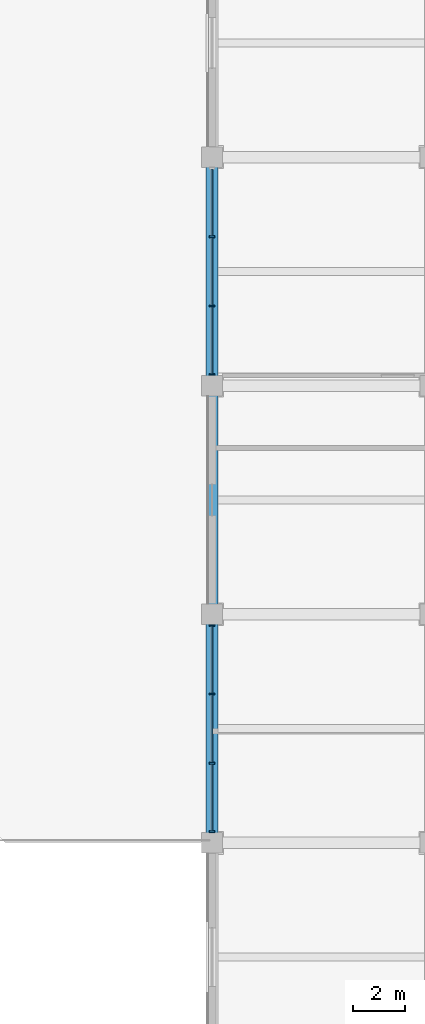
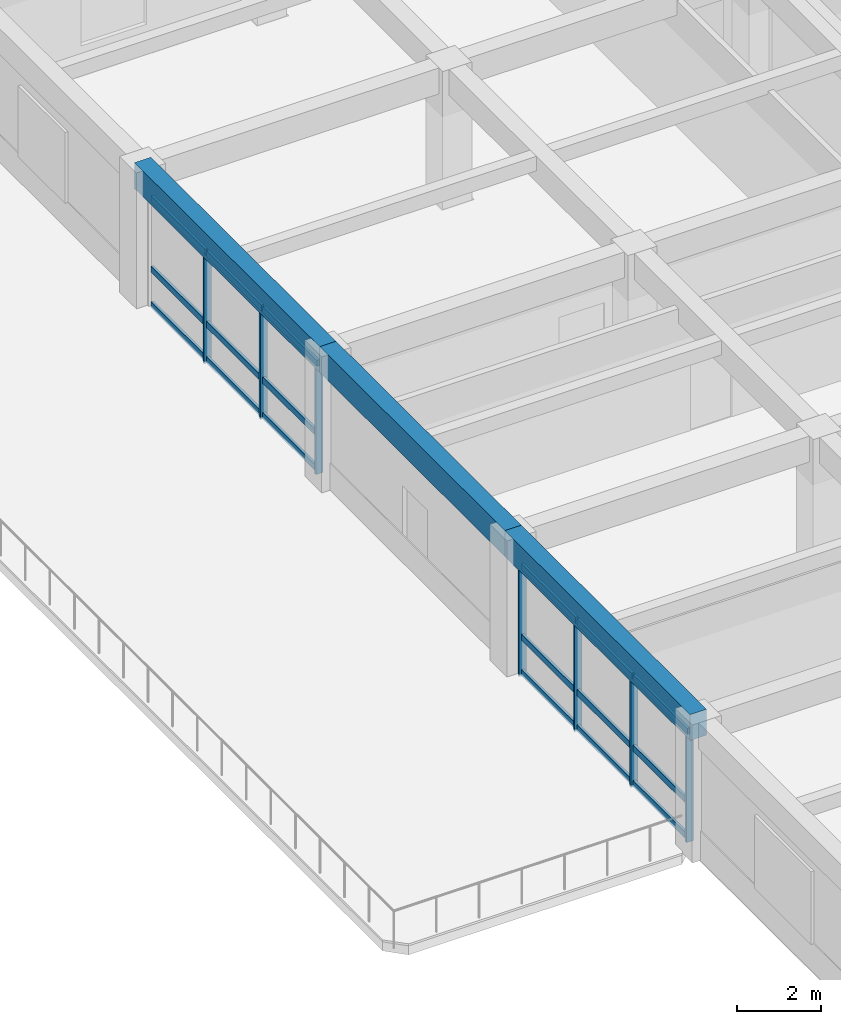
# One storey, part 23 of 49: 25 members, 3 beams, 2 elements without a shape of their own.
"""IFC4 building model written with IfcOpenShell, lengths in metres."""

import ifcopenshell
import ifcopenshell.guid

model = None  # the IFC model being written
_history = None  # IfcOwnerHistory: only IFC2X3 demands one
_inside = {}  # id of a spatial element -> (the spatial element, [elements in it])
_under = {}  # id of a project, library or spatial element -> (it, [spatial elements below it])
_declared = {}  # id of a project -> (the project, [libraries it declares])
_typed = {}  # id of a type object -> (the type object, [elements of that type])
_made_of = {}  # id of a material, layer set ... -> (it, [elements and type objects made of it])


def new_model(schema):
    """Start an empty IFC model of exactly this schema.

    Asked for "IFC4X3", IfcOpenShell would pick the latest addendum, in which some entities
    have other attributes; the version numbers below select the first issue.
    IFC2X3 requires an IfcOwnerHistory on every rooted entity: one is made here for all.
    """
    global model, _history
    if schema == "IFC4X3":
        model = ifcopenshell.file(schema_version=(4, 3, 0, 0))
    else:
        model = ifcopenshell.file(schema=schema)
    _inside.clear()
    _under.clear()
    _declared.clear()
    _typed.clear()
    _made_of.clear()
    _history = None
    if model.schema == "IFC2X3":
        org = make("IfcOrganization", Name="unknown")
        user = make(
            "IfcPersonAndOrganization",
            ThePerson=make("IfcPerson", FamilyName="unknown"),
            TheOrganization=org,
        )
        app = make(
            "IfcApplication",
            ApplicationDeveloper=org,
            Version="unknown",
            ApplicationFullName="unknown",
            ApplicationIdentifier="unknown",
        )
        _history = make(
            "IfcOwnerHistory",
            OwningUser=user,
            OwningApplication=app,
            ChangeAction="ADDED",
            CreationDate=0,
        )
    return model


def make(cls, **values):
    """One entity of the class cls with the attributes given. An attribute that is None is left unset."""
    return model.create_entity(
        cls, **{name: value for name, value in values.items() if value is not None}
    )


def rooted(cls, **values):
    """An entity with a GlobalId (a new one), such as an element, a storey or a relation."""
    return make(cls, GlobalId=ifcopenshell.guid.new(), OwnerHistory=_history, **values)


def si_unit(unit_type, name, prefix=None):
    """IfcSIUnit, for example si_unit("LENGTHUNIT", "METRE", prefix="MILLI")."""
    return make("IfcSIUnit", UnitType=unit_type, Prefix=prefix, Name=name)


def assignment(units):
    """IfcUnitAssignment: the units of a project."""
    return None if units is None else make("IfcUnitAssignment", Units=units)


def point(xyz):
    """IfcCartesianPoint."""
    return None if xyz is None else make("IfcCartesianPoint", Coordinates=xyz)


def direction(xyz):
    """IfcDirection."""
    return None if xyz is None else make("IfcDirection", DirectionRatios=xyz)


def frame(location, z_axis=None, x_axis=None):
    """IfcAxis2Placement3D, a coordinate frame: its origin and axes. An axis left out is left unset."""
    return make(
        "IfcAxis2Placement3D",
        Location=point(location),
        Axis=direction(z_axis),
        RefDirection=direction(x_axis),
    )


def frame_2d(location, x_axis=None):
    """IfcAxis2Placement2D, a coordinate frame in the plane: its origin and x axis."""
    return make(
        "IfcAxis2Placement2D", Location=point(location), RefDirection=direction(x_axis)
    )


def origin():
    """The frame at (0, 0, 0) with its axes left unset."""
    return frame((0.0, 0.0, 0.0))


def origin_2d():
    """The frame at (0, 0) in the plane with its x axis left unset."""
    return frame_2d((0.0, 0.0))


def place(relative_to, where):
    """IfcLocalPlacement: puts the frame where relative to a parent placement (None: the world)."""
    return make(
        "IfcLocalPlacement", PlacementRelTo=relative_to, RelativePlacement=where
    )


def context(
    kind, dimensions, precision=None, world=None, true_north=None, identifier=None
):
    """IfcGeometricRepresentationContext, for example the 3D "Model" context."""
    return make(
        "IfcGeometricRepresentationContext",
        ContextIdentifier=identifier,
        ContextType=kind,
        CoordinateSpaceDimension=dimensions,
        Precision=precision,
        WorldCoordinateSystem=world,
        TrueNorth=true_north,
    )


def subcontext(parent, identifier, kind, view, scale=None):
    """IfcGeometricRepresentationSubContext, for example "Body" below "Model"."""
    return make(
        "IfcGeometricRepresentationSubContext",
        ContextIdentifier=identifier,
        ContextType=kind,
        ParentContext=parent,
        TargetScale=scale,
        TargetView=view,
    )


def project(units=None, contexts=None):
    """IfcProject with its units and contexts."""
    return rooted(
        "IfcProject",
        Name="project",
        RepresentationContexts=contexts,
        UnitsInContext=assignment(units),
    )


def spatial(cls, under=None, at=None, **own):
    """A site, building, storey or space (cls), placed at a placement, below another one or the project."""
    s = rooted(cls, ObjectPlacement=at, **own)
    if under is not None:
        _under.setdefault(under.id(), (under, []))[1].append(s)
    return s


def profile(cls, at=None, kind="AREA", **sizes):
    """A parametric profile (cls). Its sizes go by their IFC names, for example OverallWidth=200.0."""
    return make(cls, ProfileType=kind, Position=at, **sizes)


def rectangle(**sizes):
    """IfcRectangleProfileDef."""
    return profile("IfcRectangleProfileDef", **sizes)


def extrude(swept, where, along, depth):
    """IfcExtrudedAreaSolid: the profile swept, set in the frame where, extruded along a direction by depth."""
    return make(
        "IfcExtrudedAreaSolid",
        SweptArea=swept,
        Position=where,
        ExtrudedDirection=direction(along),
        Depth=depth,
    )


def shape(context_of_items, identifier, shape_type, items):
    """IfcShapeRepresentation: the items that make up one representation, for example the "Body"."""
    return make(
        "IfcShapeRepresentation",
        ContextOfItems=context_of_items,
        RepresentationIdentifier=identifier,
        RepresentationType=shape_type,
        Items=items,
    )


def material(Name=None, Category=None):
    """IfcMaterial."""
    return make("IfcMaterial", Name=Name, Category=Category)


def material_profile(
    of_material, cross_section, Name=None, Category=None, Priority=None
):
    """IfcMaterialProfile: a cross section and its material."""
    return make(
        "IfcMaterialProfile",
        Name=Name,
        Material=of_material,
        Profile=cross_section,
        Priority=Priority,
        Category=Category,
    )


def profile_set(profiles, Name=None, composite=None):
    """IfcMaterialProfileSet."""
    return make(
        "IfcMaterialProfileSet",
        Name=Name,
        MaterialProfiles=profiles,
        CompositeProfile=composite,
    )


def made_of(thing, what):
    """Note that an element or type object is made of a material, layer set ...; save() writes the relation."""
    if what is not None:
        _made_of.setdefault(what.id(), (what, []))[1].append(thing)
    return thing


def type_object(cls, material=None, **own):
    """A type object (cls), such as IfcWallType, which elements share."""
    return made_of(rooted(cls, **own), material)


def element(
    cls,
    number,
    at=None,
    inside=None,
    cuts=None,
    type_object=None,
    material=None,
    context=None,
    identifier="Body",
    shape_type=None,
    held_by="IfcProductDefinitionShape",
    body=None,
    shapes=None,
    **own,
):
    """One element of the class cls, such as IfcWall. Its Tag is "e" and its number.

    at: its placement. inside: the storey or other place that contains it. cuts: it is an
    opening in that element (IfcRelVoidsElement). A single representation is given by context,
    identifier, shape_type and body (its items); several are given by shapes. held_by: the class
    of the entity that holds the representations. save() writes the other relations.
    """
    e = rooted(cls, Tag="e%d" % number, ObjectPlacement=at, **own)
    if body is not None:
        shapes = [shape(context, identifier, shape_type, body)]
    if shapes is not None:
        e.Representation = make(held_by, Representations=shapes)
    if inside is not None:
        _inside.setdefault(inside.id(), (inside, []))[1].append(e)
    if cuts is not None:
        rooted(
            "IfcRelVoidsElement", RelatingBuildingElement=cuts, RelatedOpeningElement=e
        )
    if type_object is not None:
        _typed.setdefault(type_object.id(), (type_object, []))[1].append(e)
    return made_of(e, material)


def aggregate(whole, parts):
    """IfcRelAggregates: a whole, such as a stair, and the parts it consists of."""
    return rooted("IfcRelAggregates", RelatingObject=whole, RelatedObjects=parts)


def save(model, path):
    """Write the relations noted so far, then the file.

    IfcRelAggregates (storeys below a building ...), IfcRelContainedInSpatialStructure (elements
    in a storey), IfcRelDefinesByType, IfcRelAssociatesMaterial and IfcRelDeclares: one each for
    every whole, place, type object, material and project.
    """
    for whole, parts in _under.values():
        aggregate(whole, parts)
    for where, things in _inside.values():
        rooted(
            "IfcRelContainedInSpatialStructure",
            RelatedElements=things,
            RelatingStructure=where,
        )
    for kind, things in _typed.values():
        rooted("IfcRelDefinesByType", RelatedObjects=things, RelatingType=kind)
    for what, things in _made_of.values():
        rooted("IfcRelAssociatesMaterial", RelatedObjects=things, RelatingMaterial=what)
    for by, libraries in _declared.values():
        rooted("IfcRelDeclares", RelatingContext=by, RelatedDefinitions=libraries)
    model.write(path)


model = new_model("IFC4")

# Units and contexts
model_context = context("Model", 3, precision=1e-05, world=origin(), true_north=direction((0.0, 1.0)))
body_context = subcontext(model_context, "Body", "Model", "MODEL_VIEW")
ifc_project = project(units=[si_unit("LENGTHUNIT", "METRE"), si_unit("AREAUNIT", "SQUARE_METRE"), si_unit("VOLUMEUNIT", "CUBIC_METRE"), si_unit("PLANEANGLEUNIT", "RADIAN"), si_unit("MASSUNIT", "GRAM", prefix="KILO")], contexts=[model_context])

# Site, building, storey
site_placement = place(None, origin())
site = spatial("IfcSite", under=ifc_project, at=site_placement, CompositionType="ELEMENT")
building_placement = place(site_placement, origin())
building = spatial("IfcBuilding", under=site, at=building_placement, Name="Kemercrest Conservatory and Botanical Centre", CompositionType="ELEMENT")
storey_placement = place(building_placement, frame((0.0, 0.0, 13.199951171875)))
storey = spatial("IfcBuildingStorey", under=building, at=storey_placement, Name="L03", CompositionType="ELEMENT", Elevation=13.199951171875)

# Curtain wall, members
ifc_material_1 = material(Name="Thermally broken aluminium and triple low-e glazing", Category="aluminium")
curtain_wall_type_1 = type_object("IfcCurtainWallType", Name="CW-07", PredefinedType="USERDEFINED", material=ifc_material_1)
curtain_wall_1_placement = place(storey_placement, origin())
curtain_wall_1 = element("IfcCurtainWall", 1, at=curtain_wall_1_placement, inside=storey, type_object=curtain_wall_type_1, Name="Unitised curtain wall CW-07 (CW:L03:V4-066)", ObjectType="UNITISED CURTAIN WALL", PredefinedType="USERDEFINED")
ifc_material_2 = material(Name="Thermally broken anodized aluminium 6063-T6", Category="aluminium")
ifc_material_profile_1 = material_profile(ifc_material_2, rectangle(XDim=0.199951171875, YDim=0.06494140625, at=origin_2d()), Name="AL MULLION 65x200")
ifc_profile_set_1 = profile_set([ifc_material_profile_1], Name="Thermally broken anodized aluminium 6063-T6")
member_type_1 = type_object("IfcMemberType", Name="CW-M200", PredefinedType="MULLION", material=ifc_profile_set_1)
member_1_placement = place(storey_placement, frame((134.0, 110.534912109375, 0.0), z_axis=(0.0, 0.0, 1.0), x_axis=(1.0, 0.0, 0.0)))
member_1 = element("IfcMember", 2, at=member_1_placement, type_object=member_type_1, Name="CW-07 mullion 2", PredefinedType="MULLION", context=body_context, shape_type="SweptSolid", body=[
    extrude(rectangle(XDim=0.199951171875, YDim=0.06494140625, at=origin_2d()), origin(), (0.0, 0.0, 1.0), 3.255126953125),
])
member_2_placement = place(storey_placement, frame((134.0, 107.864990234375, 0.0), z_axis=(0.0, 0.0, 1.0), x_axis=(1.0, 0.0, 0.0)))
member_2 = element("IfcMember", 3, at=member_2_placement, type_object=member_type_1, Name="CW-07 mullion 3", PredefinedType="MULLION", context=body_context, shape_type="SweptSolid", body=[
    extrude(rectangle(XDim=0.199951171875, YDim=0.06494140625, at=origin_2d()), origin(), (0.0, 0.0, 1.0), 3.255126953125),
])
member_3_placement = place(storey_placement, frame((134.0, 105.2275390625, 0.0), z_axis=(0.0, 0.0, 1.0), x_axis=(1.0, 0.0, 0.0)))
member_3 = element("IfcMember", 4, at=member_3_placement, type_object=member_type_1, Name="CW-07 mullion 4", PredefinedType="MULLION", context=body_context, shape_type="SweptSolid", body=[
    extrude(rectangle(XDim=0.199951171875, YDim=0.06494140625, at=origin_2d()), origin(), (0.0, 0.0, 1.0), 3.255126953125),
])

curtain_wall_type_2 = type_object("IfcCurtainWallType", Name="CW-08", PredefinedType="USERDEFINED", material=ifc_material_1)
curtain_wall_2_placement = place(storey_placement, origin())
curtain_wall_2 = element("IfcCurtainWall", 5, at=curtain_wall_2_placement, inside=storey, type_object=curtain_wall_type_2, Name="Unitised curtain wall CW-08 (CW:L03:V4-067)", ObjectType="UNITISED CURTAIN WALL", PredefinedType="USERDEFINED")
member_4_placement = place(storey_placement, frame((134.0, 95.572509765625, 0.0), z_axis=(0.0, 0.0, 1.0), x_axis=(1.0, 0.0, 0.0)))
member_4 = element("IfcMember", 6, at=member_4_placement, type_object=member_type_1, Name="CW-08 mullion 1", PredefinedType="MULLION", context=body_context, shape_type="SweptSolid", body=[
    extrude(rectangle(XDim=0.199951171875, YDim=0.06494140625, at=origin_2d()), origin(), (0.0, 0.0, 1.0), 3.255126953125),
])
member_5_placement = place(storey_placement, frame((134.0, 92.93505859375, 0.0), z_axis=(0.0, 0.0, 1.0), x_axis=(1.0, 0.0, 0.0)))
member_5 = element("IfcMember", 7, at=member_5_placement, type_object=member_type_1, Name="CW-08 mullion 2", PredefinedType="MULLION", context=body_context, shape_type="SweptSolid", body=[
    extrude(rectangle(XDim=0.199951171875, YDim=0.06494140625, at=origin_2d()), origin(), (0.0, 0.0, 1.0), 3.255126953125),
])
member_6_placement = place(storey_placement, frame((134.0, 90.264892578125, 0.0), z_axis=(0.0, 0.0, 1.0), x_axis=(1.0, 0.0, 0.0)))
member_6 = element("IfcMember", 8, at=member_6_placement, type_object=member_type_1, Name="CW-08 mullion 3", PredefinedType="MULLION", context=body_context, shape_type="SweptSolid", body=[
    extrude(rectangle(XDim=0.199951171875, YDim=0.06494140625, at=origin_2d()), origin(), (0.0, 0.0, 1.0), 3.255126953125),
])
member_7_placement = place(storey_placement, frame((134.0, 87.62744140625, 0.0), z_axis=(0.0, 0.0, 1.0), x_axis=(1.0, 0.0, 0.0)))
member_7 = element("IfcMember", 9, at=member_7_placement, type_object=member_type_1, Name="CW-08 mullion 4", PredefinedType="MULLION", context=body_context, shape_type="SweptSolid", body=[
    extrude(rectangle(XDim=0.199951171875, YDim=0.06494140625, at=origin_2d()), origin(), (0.0, 0.0, 1.0), 3.255126953125),
])

# Member
ifc_material_profile_2 = material_profile(ifc_material_2, rectangle(XDim=0.074951171875, YDim=0.179931640625, at=origin_2d()), Name="AL TRANSOM 75x180")
ifc_profile_set_2 = profile_set([ifc_material_profile_2], Name="Thermally broken anodized aluminium 6063-T6")
member_type_2 = type_object("IfcMemberType", Name="CW-T180", PredefinedType="USERDEFINED", material=ifc_profile_set_2)
member_8_placement = place(storey_placement, frame((134.0, 113.139892578125, 0.090087890625), z_axis=(0.0, -1.0, 0.0), x_axis=(1.0, 0.0, 0.0)))
member_8 = element("IfcMember", 10, at=member_8_placement, type_object=member_type_2, Name="CW-07 transom 1.1", ObjectType="TRANSOM", PredefinedType="USERDEFINED", context=body_context, shape_type="SweptSolid", body=[
    extrude(rectangle(XDim=0.074951171875, YDim=0.179931640625, at=origin_2d()), origin(), (0.0, 0.0, 1.0), 2.572509765625),
])

member_9_placement = place(storey_placement, frame((134.0, 113.139892578125, 1.1201171875), z_axis=(0.0, -1.0, 0.0), x_axis=(1.0, 0.0, 0.0)))
member_9 = element("IfcMember", 11, at=member_9_placement, type_object=member_type_2, Name="CW-07 transom 1.2", ObjectType="TRANSOM", PredefinedType="USERDEFINED", context=body_context, shape_type="SweptSolid", body=[
    extrude(rectangle(XDim=0.074951171875, YDim=0.179931640625, at=origin_2d()), origin(), (0.0, 0.0, 1.0), 2.572509765625),
])

member_10_placement = place(storey_placement, frame((134.0, 113.139892578125, 3.1650390625), z_axis=(0.0, -1.0, 0.0), x_axis=(1.0, 0.0, 0.0)))
member_10 = element("IfcMember", 12, at=member_10_placement, type_object=member_type_2, Name="CW-07 transom 1.3", ObjectType="TRANSOM", PredefinedType="USERDEFINED", context=body_context, shape_type="SweptSolid", body=[
    extrude(rectangle(XDim=0.074951171875, YDim=0.179931640625, at=origin_2d()), origin(), (0.0, 0.0, 1.0), 2.572509765625),
])

member_11_placement = place(storey_placement, frame((134.0, 110.50244140625, 0.090087890625), z_axis=(0.0, -1.0, 0.0), x_axis=(1.0, 0.0, 0.0)))
member_11 = element("IfcMember", 13, at=member_11_placement, type_object=member_type_2, Name="CW-07 transom 2.1", ObjectType="TRANSOM", PredefinedType="USERDEFINED", context=body_context, shape_type="SweptSolid", body=[
    extrude(rectangle(XDim=0.074951171875, YDim=0.179931640625, at=origin_2d()), origin(), (0.0, 0.0, 1.0), 2.60498046875),
])

member_12_placement = place(storey_placement, frame((134.0, 110.50244140625, 1.1201171875), z_axis=(0.0, -1.0, 0.0), x_axis=(1.0, 0.0, 0.0)))
member_12 = element("IfcMember", 14, at=member_12_placement, type_object=member_type_2, Name="CW-07 transom 2.2", ObjectType="TRANSOM", PredefinedType="USERDEFINED", context=body_context, shape_type="SweptSolid", body=[
    extrude(rectangle(XDim=0.074951171875, YDim=0.179931640625, at=origin_2d()), origin(), (0.0, 0.0, 1.0), 2.60498046875),
])

member_13_placement = place(storey_placement, frame((134.0, 110.50244140625, 3.1650390625), z_axis=(0.0, -1.0, 0.0), x_axis=(1.0, 0.0, 0.0)))
member_13 = element("IfcMember", 15, at=member_13_placement, type_object=member_type_2, Name="CW-07 transom 2.3", ObjectType="TRANSOM", PredefinedType="USERDEFINED", context=body_context, shape_type="SweptSolid", body=[
    extrude(rectangle(XDim=0.074951171875, YDim=0.179931640625, at=origin_2d()), origin(), (0.0, 0.0, 1.0), 2.60498046875),
])

member_14_placement = place(storey_placement, frame((134.0, 107.83251953125, 0.090087890625), z_axis=(0.0, -1.0, 0.0), x_axis=(1.0, 0.0, 0.0)))
member_14 = element("IfcMember", 16, at=member_14_placement, type_object=member_type_2, Name="CW-07 transom 3.1", ObjectType="TRANSOM", PredefinedType="USERDEFINED", context=body_context, shape_type="SweptSolid", body=[
    extrude(rectangle(XDim=0.074951171875, YDim=0.179931640625, at=origin_2d()), origin(), (0.0, 0.0, 1.0), 2.572509765625),
])

member_15_placement = place(storey_placement, frame((134.0, 107.83251953125, 1.1201171875), z_axis=(0.0, -1.0, 0.0), x_axis=(1.0, 0.0, 0.0)))
member_15 = element("IfcMember", 17, at=member_15_placement, type_object=member_type_2, Name="CW-07 transom 3.2", ObjectType="TRANSOM", PredefinedType="USERDEFINED", context=body_context, shape_type="SweptSolid", body=[
    extrude(rectangle(XDim=0.074951171875, YDim=0.179931640625, at=origin_2d()), origin(), (0.0, 0.0, 1.0), 2.572509765625),
])

member_16_placement = place(storey_placement, frame((134.0, 107.83251953125, 3.1650390625), z_axis=(0.0, -1.0, 0.0), x_axis=(1.0, 0.0, 0.0)))
member_16 = element("IfcMember", 18, at=member_16_placement, type_object=member_type_2, Name="CW-07 transom 3.3", ObjectType="TRANSOM", PredefinedType="USERDEFINED", context=body_context, shape_type="SweptSolid", body=[
    extrude(rectangle(XDim=0.074951171875, YDim=0.179931640625, at=origin_2d()), origin(), (0.0, 0.0, 1.0), 2.572509765625),
])

aggregate(curtain_wall_1, [member_1, member_2, member_3, member_8, member_9, member_10, member_11, member_12, member_13, member_14, member_15, member_16])

member_17_placement = place(storey_placement, frame((134.0, 95.5400390625, 0.090087890625), z_axis=(0.0, -1.0, 0.0), x_axis=(1.0, 0.0, 0.0)))
member_17 = element("IfcMember", 19, at=member_17_placement, type_object=member_type_2, Name="CW-08 transom 1.1", ObjectType="TRANSOM", PredefinedType="USERDEFINED", context=body_context, shape_type="SweptSolid", body=[
    extrude(rectangle(XDim=0.074951171875, YDim=0.179931640625, at=origin_2d()), origin(), (0.0, 0.0, 1.0), 2.572509765625),
])

member_18_placement = place(storey_placement, frame((134.0, 95.5400390625, 1.1201171875), z_axis=(0.0, -1.0, 0.0), x_axis=(1.0, 0.0, 0.0)))
member_18 = element("IfcMember", 20, at=member_18_placement, type_object=member_type_2, Name="CW-08 transom 1.2", ObjectType="TRANSOM", PredefinedType="USERDEFINED", context=body_context, shape_type="SweptSolid", body=[
    extrude(rectangle(XDim=0.074951171875, YDim=0.179931640625, at=origin_2d()), origin(), (0.0, 0.0, 1.0), 2.572509765625),
])

member_19_placement = place(storey_placement, frame((134.0, 95.5400390625, 3.1650390625), z_axis=(0.0, -1.0, 0.0), x_axis=(1.0, 0.0, 0.0)))
member_19 = element("IfcMember", 21, at=member_19_placement, type_object=member_type_2, Name="CW-08 transom 1.3", ObjectType="TRANSOM", PredefinedType="USERDEFINED", context=body_context, shape_type="SweptSolid", body=[
    extrude(rectangle(XDim=0.074951171875, YDim=0.179931640625, at=origin_2d()), origin(), (0.0, 0.0, 1.0), 2.572509765625),
])

member_20_placement = place(storey_placement, frame((134.0, 92.902587890625, 0.090087890625), z_axis=(0.0, -1.0, 0.0), x_axis=(1.0, 0.0, 0.0)))
member_20 = element("IfcMember", 22, at=member_20_placement, type_object=member_type_2, Name="CW-08 transom 2.1", ObjectType="TRANSOM", PredefinedType="USERDEFINED", context=body_context, shape_type="SweptSolid", body=[
    extrude(rectangle(XDim=0.074951171875, YDim=0.179931640625, at=origin_2d()), origin(), (0.0, 0.0, 1.0), 2.60498046875),
])

member_21_placement = place(storey_placement, frame((134.0, 92.902587890625, 1.1201171875), z_axis=(0.0, -1.0, 0.0), x_axis=(1.0, 0.0, 0.0)))
member_21 = element("IfcMember", 23, at=member_21_placement, type_object=member_type_2, Name="CW-08 transom 2.2", ObjectType="TRANSOM", PredefinedType="USERDEFINED", context=body_context, shape_type="SweptSolid", body=[
    extrude(rectangle(XDim=0.074951171875, YDim=0.179931640625, at=origin_2d()), origin(), (0.0, 0.0, 1.0), 2.60498046875),
])

member_22_placement = place(storey_placement, frame((134.0, 92.902587890625, 3.1650390625), z_axis=(0.0, -1.0, 0.0), x_axis=(1.0, 0.0, 0.0)))
member_22 = element("IfcMember", 24, at=member_22_placement, type_object=member_type_2, Name="CW-08 transom 2.3", ObjectType="TRANSOM", PredefinedType="USERDEFINED", context=body_context, shape_type="SweptSolid", body=[
    extrude(rectangle(XDim=0.074951171875, YDim=0.179931640625, at=origin_2d()), origin(), (0.0, 0.0, 1.0), 2.60498046875),
])

member_23_placement = place(storey_placement, frame((134.0, 90.232421875, 0.090087890625), z_axis=(0.0, -1.0, 0.0), x_axis=(1.0, 0.0, 0.0)))
member_23 = element("IfcMember", 25, at=member_23_placement, type_object=member_type_2, Name="CW-08 transom 3.1", ObjectType="TRANSOM", PredefinedType="USERDEFINED", context=body_context, shape_type="SweptSolid", body=[
    extrude(rectangle(XDim=0.074951171875, YDim=0.179931640625, at=origin_2d()), origin(), (0.0, 0.0, 1.0), 2.572509765625),
])

member_24_placement = place(storey_placement, frame((134.0, 90.232421875, 1.1201171875), z_axis=(0.0, -1.0, 0.0), x_axis=(1.0, 0.0, 0.0)))
member_24 = element("IfcMember", 26, at=member_24_placement, type_object=member_type_2, Name="CW-08 transom 3.2", ObjectType="TRANSOM", PredefinedType="USERDEFINED", context=body_context, shape_type="SweptSolid", body=[
    extrude(rectangle(XDim=0.074951171875, YDim=0.179931640625, at=origin_2d()), origin(), (0.0, 0.0, 1.0), 2.572509765625),
])

member_25_placement = place(storey_placement, frame((134.0, 90.232421875, 3.1650390625), z_axis=(0.0, -1.0, 0.0), x_axis=(1.0, 0.0, 0.0)))
member_25 = element("IfcMember", 27, at=member_25_placement, type_object=member_type_2, Name="CW-08 transom 3.3", ObjectType="TRANSOM", PredefinedType="USERDEFINED", context=body_context, shape_type="SweptSolid", body=[
    extrude(rectangle(XDim=0.074951171875, YDim=0.179931640625, at=origin_2d()), origin(), (0.0, 0.0, 1.0), 2.572509765625),
])

aggregate(curtain_wall_2, [member_4, member_5, member_6, member_7, member_17, member_18, member_19, member_20, member_21, member_22, member_23, member_24, member_25])

# Beams
ifc_material_3 = material(Name="Concrete C40/50", Category="concrete")
ifc_material_profile_3 = material_profile(ifc_material_3, rectangle(XDim=0.449951171875, YDim=0.75, at=origin_2d()), Name="RC 450x750")
ifc_profile_set_3 = profile_set([ifc_material_profile_3], Name="Concrete C40/50")
beam_type = type_object("IfcBeamType", Name="SP-RC75", PredefinedType="SPANDREL", material=ifc_profile_set_3)
for number, where, z_axis, x_axis, name in (
    (28, (134.0, 87.199951171875, 3.625), (0.0, 1.0, 0.0), (-1.0, 0.0, 0.0), "V4-L04 beam SP-RC75 16/K-L"),
    (29, (134.0, 96.0, 3.625), (0.0, 1.0, 0.0), (-1.0, 0.0, 0.0), "V4-L04 beam SP-RC75 16/L-M"),
    (30, (134.0, 104.800048828125, 3.625), (0.0, 1.0, 0.0), (-1.0, 0.0, 0.0), "V4-L04 beam SP-RC75 16/M-N"),
):
    element("IfcBeam", number, at=place(storey_placement, frame(where, z_axis=z_axis, x_axis=x_axis)), inside=storey, type_object=beam_type, Name=name, PredefinedType="SPANDREL", context=body_context, shape_type="SweptSolid", body=[
        extrude(rectangle(XDim=0.449951171875, YDim=0.75, at=origin_2d()), origin(), (0.0, 0.0, 1.0), 8.800048828125),
    ])

save(model, "model.ifc")
